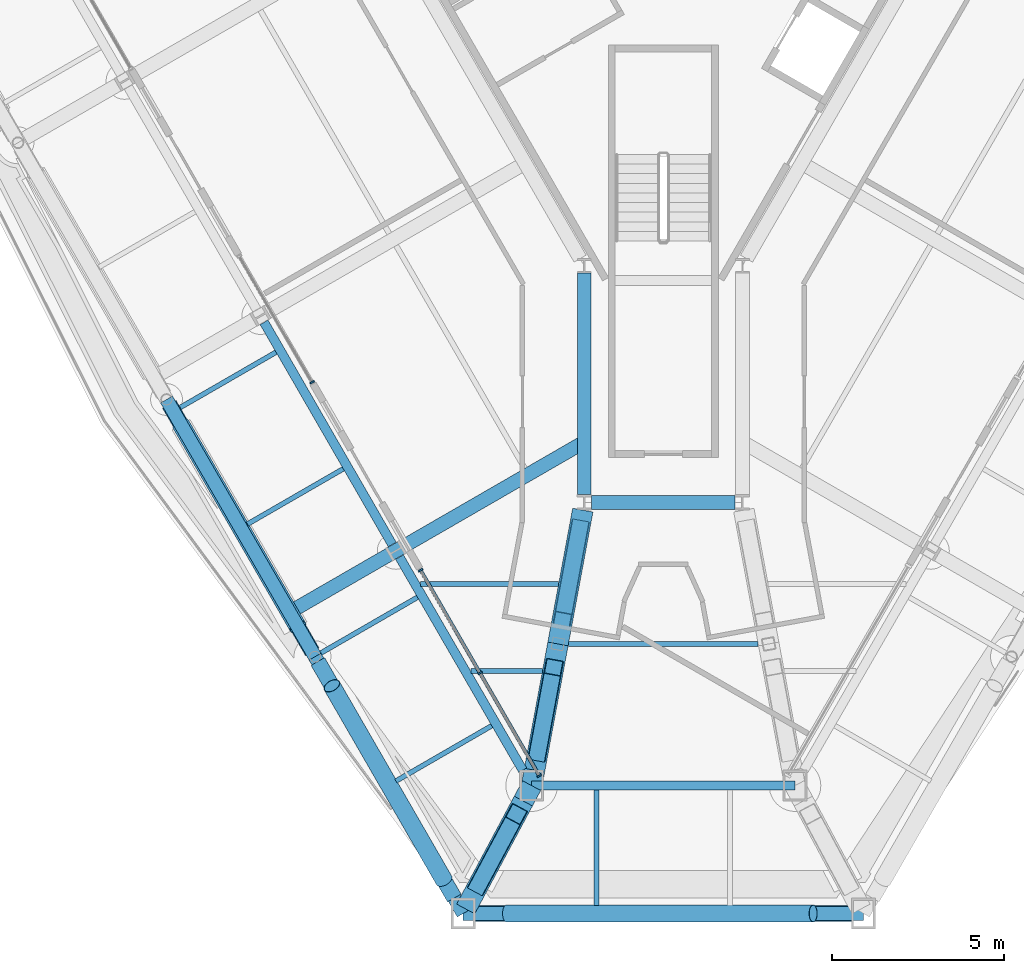
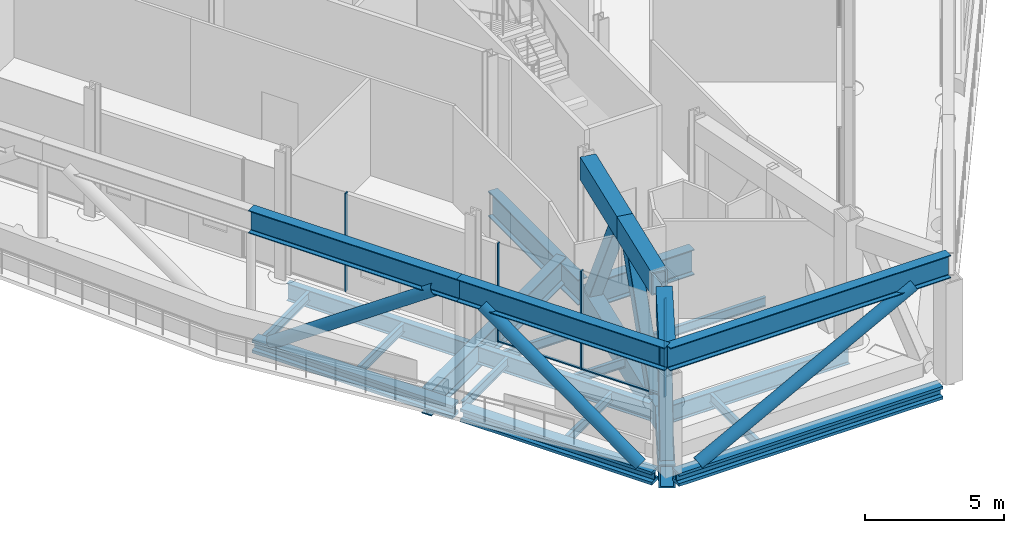
# One storey, part 5 of 26: 26 beams, 12 members, 2 elements without a shape of their own.
"""IFC4 building model written with IfcOpenShell, lengths in metres."""

from ifc_helpers import new_model, si_unit, direction, frame, origin, origin_2d, place, context, subcontext, project, spatial, rectangle, hollow_rectangle, hollow_circle, i_section, extrude, material, material_profile, profile_set, type_object, element, aggregate, save


model = new_model("IFC4")

# Units and contexts
model_context = context("Model", 3, precision=1e-05, world=origin(), true_north=direction((0.0, 1.0)))
body_context = subcontext(model_context, "Body", "Model", "MODEL_VIEW")
ifc_project = project(units=[si_unit("LENGTHUNIT", "METRE"), si_unit("AREAUNIT", "SQUARE_METRE"), si_unit("VOLUMEUNIT", "CUBIC_METRE"), si_unit("PLANEANGLEUNIT", "RADIAN"), si_unit("MASSUNIT", "GRAM", prefix="KILO")], contexts=[model_context])

# Site, building, storey
site_placement = place(None, origin())
site = spatial("IfcSite", under=ifc_project, at=site_placement, CompositionType="ELEMENT")
building_placement = place(site_placement, origin())
building = spatial("IfcBuilding", under=site, at=building_placement, Name="Verrane Prism Tower", CompositionType="ELEMENT")
storey_placement = place(building_placement, frame((0.0, 0.0, 87.199951171875)))
storey = spatial("IfcBuildingStorey", under=building, at=storey_placement, Name="L20", CompositionType="ELEMENT", Elevation=87.199951171875)

# Beams
ifc_material_1 = material(Name="Steel A992", Category="steel")
ifc_material_profile_1 = material_profile(ifc_material_1, i_section(OverallWidth=0.45458984375, OverallDepth=0.56884765625, WebThickness=0.077880859375, FlangeThickness=0.124755859375, FilletRadius=0.01513671875, at=origin_2d()), Name="W14x730")
ifc_profile_set_1 = profile_set([ifc_material_profile_1], Name="Steel A992")
beam_type_1 = type_object("IfcBeamType", Name="Belt truss chord W14x730", PredefinedType="BEAM", material=ifc_profile_set_1)
beam_1_placement = place(storey_placement, frame((-14.36865234375, -18.45068359375, -0.445556640625), z_axis=(0.500128352211, -0.865951286918, 0.0), x_axis=(0.865951286918, 0.500128352211, 0.0)))
element("IfcBeam", 1, at=beam_1_placement, inside=storey, type_object=beam_type_1, Name="Belt truss chord L20", PredefinedType="BEAM", context=body_context, shape_type="SweptSolid", body=[
    extrude(i_section(OverallWidth=0.45458984375, OverallDepth=0.56884765625, WebThickness=0.077880859375, FlangeThickness=0.124755859375, FilletRadius=0.01513671875, at=origin_2d()), origin(), (0.0, 0.0, 1.0), 8.312744140625),
])
beam_2_placement = place(storey_placement, frame((-10.048828125, -25.930908203125, -0.445556640625), z_axis=(0.499769466734, -0.866158461322, 0.0), x_axis=(0.866158461322, 0.499769466734, 0.0)))
element("IfcBeam", 2, at=beam_2_placement, inside=storey, type_object=beam_type_1, Name="Belt truss chord L20", PredefinedType="BEAM", context=body_context, shape_type="SweptSolid", body=[
    extrude(i_section(OverallWidth=0.45458984375, OverallDepth=0.56884765625, WebThickness=0.077880859375, FlangeThickness=0.124755859375, FilletRadius=0.01513671875, at=origin_2d()), origin(), (0.0, 0.0, 1.0), 7.942138671875),
])
beam_3_placement = place(storey_placement, frame((-5.469970703125, -33.260009765625, -0.445556640625), z_axis=(1.0, 0.0, 0.0), x_axis=(0.0, 1.0, 0.0)))
element("IfcBeam", 3, at=beam_3_placement, inside=storey, type_object=beam_type_1, Name="Belt truss chord L20", PredefinedType="BEAM", context=body_context, shape_type="SweptSolid", body=[
    extrude(i_section(OverallWidth=0.45458984375, OverallDepth=0.56884765625, WebThickness=0.077880859375, FlangeThickness=0.124755859375, FilletRadius=0.01513671875, at=origin_2d()), origin(), (0.0, 0.0, 1.0), 10.93994140625),
])
ifc_material_2 = material(Name="Steel A992", Category="steel")
ifc_material_profile_2 = material_profile(ifc_material_2, i_section(OverallWidth=0.4013671875, OverallDepth=1.000732421875, WebThickness=0.01904296875, FlangeThickness=0.0361328125, FilletRadius=0.030029296875, at=origin_2d()), Name="W40x249")
ifc_profile_set_2 = profile_set([ifc_material_profile_2], Name="Steel A992")
beam_type_2 = type_object("IfcBeamType", Name="Belt truss chord W40x249", PredefinedType="BEAM", material=ifc_profile_set_2)
beam_4_placement = place(storey_placement, frame((-14.449951171875, -18.31005859375, 4.939697265625), z_axis=(0.500130201725, -0.865950218732, 0.0), x_axis=(0.865950218732, 0.500130201725, 0.0)))
element("IfcBeam", 4, at=beam_4_placement, inside=storey, type_object=beam_type_2, Name="Belt truss chord L20", PredefinedType="BEAM", context=body_context, shape_type="SweptSolid", body=[
    extrude(i_section(OverallWidth=0.4013671875, OverallDepth=1.000732421875, WebThickness=0.01904296875, FlangeThickness=0.0361328125, FilletRadius=0.030029296875, at=origin_2d()), origin(), (0.0, 0.0, 1.0), 8.637939453125),
])
beam_5_placement = place(storey_placement, frame((-10.1298828125, -25.7900390625, 4.939697265625), z_axis=(0.499741242346, -0.866174746052, 0.0), x_axis=(0.866174746052, 0.499741242346, 0.0)))
element("IfcBeam", 5, at=beam_5_placement, inside=storey, type_object=beam_type_2, Name="Belt truss chord L20", PredefinedType="BEAM", context=body_context, shape_type="SweptSolid", body=[
    extrude(i_section(OverallWidth=0.4013671875, OverallDepth=1.000732421875, WebThickness=0.01904296875, FlangeThickness=0.0361328125, FilletRadius=0.030029296875, at=origin_2d()), origin(), (0.0, 0.0, 1.0), 8.6240234375),
])
beam_6_placement = place(storey_placement, frame((-5.820068359375, -33.260009765625, 4.939697265625), z_axis=(1.0, 0.0, 0.0), x_axis=(0.0, 1.0, 0.0)))
element("IfcBeam", 6, at=beam_6_placement, inside=storey, type_object=beam_type_2, Name="Belt truss chord L20", PredefinedType="BEAM", context=body_context, shape_type="SweptSolid", body=[
    extrude(i_section(OverallWidth=0.4013671875, OverallDepth=1.000732421875, WebThickness=0.01904296875, FlangeThickness=0.0361328125, FilletRadius=0.030029296875, at=origin_2d()), origin(), (0.0, 0.0, 1.0), 11.64013671875),
])

# Members
ifc_material_3 = material(Name="Steel A500 Grade C", Category="steel")
ifc_material_profile_3 = material_profile(ifc_material_3, hollow_circle(Radius=0.25390625, WallThickness=0.0126953125, at=origin_2d()), Name="HSS20.000x0.500")
ifc_profile_set_3 = profile_set([ifc_material_profile_3], Name="Steel A500 Grade C")
member_type_1 = type_object("IfcMemberType", Name="Belt truss diagonal HSS20.000x0.500", PredefinedType="BRACE", material=ifc_profile_set_3)
member_1_placement = place(storey_placement, frame((-4.5576171875, -33.260009765625, -0.160888671875), z_axis=(0.884177532437, 0.0, 0.467151036747), x_axis=(0.0, 1.0, 0.0)))
element("IfcMember", 7, at=member_1_placement, inside=storey, type_object=member_type_1, Name="Belt truss diagonal L20", PredefinedType="BRACE", context=body_context, shape_type="SweptSolid", body=[
    extrude(hollow_circle(Radius=0.25390625, WallThickness=0.0126953125, at=origin_2d()), origin(), (0.0, 0.0, 1.0), 10.082275390625),
])
member_2_placement = place(storey_placement, frame((-14.026611328125, -19.043212890625, -0.160888671875), z_axis=(0.410981497335, -0.711574303838, 0.569873862329), x_axis=(0.865944304384, 0.500140441981, 0.0)))
element("IfcMember", 8, at=member_2_placement, inside=storey, type_object=member_type_1, Name="Belt truss diagonal L20", PredefinedType="BRACE", context=body_context, shape_type="SweptSolid", body=[
    extrude(hollow_circle(Radius=0.25390625, WallThickness=0.0126953125, at=origin_2d()), origin(), (0.0, 0.0, 1.0), 8.264892578125),
])
member_3_placement = place(storey_placement, frame((-6.37890625, -32.29150390625, -0.160888671875), z_axis=(-0.405277647184, 0.70243475166, 0.585094392687), x_axis=(-0.866171265767, -0.499747274489, 0.0)))
element("IfcMember", 9, at=member_3_placement, inside=storey, type_object=member_type_1, Name="Belt truss diagonal L20", PredefinedType="BRACE", context=body_context, shape_type="SweptSolid", body=[
    extrude(hollow_circle(Radius=0.25390625, WallThickness=0.0126953125, at=origin_2d()), origin(), (0.0, 0.0, 1.0), 8.0498046875),
])

# Beams
ifc_material_4 = material(Name="Steel A992", Category="steel")
ifc_material_profile_4 = material_profile(ifc_material_4, i_section(OverallWidth=0.2666015625, OverallDepth=0.76708984375, WebThickness=0.014892578125, FlangeThickness=0.023681640625, FilletRadius=0.0166015625, at=origin_2d()), Name="W30x124")
ifc_profile_set_4 = profile_set([ifc_material_profile_4], Name="Steel A992")
beam_type_3 = type_object("IfcBeamType", Name="Chamfer spandrel beam W30x124", PredefinedType="SPANDREL", material=ifc_profile_set_4)
beam_7_placement = place(storey_placement, frame((-3.830078125, -29.5400390625, -0.54345703125), z_axis=(1.0, 0.0, 0.0), x_axis=(0.0, 1.0, 0.0)))
element("IfcBeam", 10, at=beam_7_placement, inside=storey, type_object=beam_type_3, Name="Chamfer spandrel beam L20", PredefinedType="SPANDREL", context=body_context, shape_type="SweptSolid", body=[
    extrude(i_section(OverallWidth=0.2666015625, OverallDepth=0.76708984375, WebThickness=0.014892578125, FlangeThickness=0.023681640625, FilletRadius=0.0166015625, at=origin_2d()), origin(), (0.0, 0.0, 1.0), 7.66015625),
])
ifc_material_5 = material(Name="Steel A992", Category="steel")
ifc_material_profile_5 = material_profile(ifc_material_5, i_section(OverallWidth=0.140380859375, OverallDepth=0.40380859375, WebThickness=0.007080078125, FlangeThickness=0.01123046875, FilletRadius=0.01025390625, at=origin_2d()), Name="W16x31")
ifc_profile_set_5 = profile_set([ifc_material_profile_5], Name="Steel A992")
beam_type_4 = type_object("IfcBeamType", Name="Floor beam W16x31", PredefinedType="BEAM", material=ifc_profile_set_5)
beam_8_placement = place(storey_placement, frame((-7.77978515625, -29.408203125, -0.36181640625), z_axis=(0.866055526205, 0.499947822806, 0.0), x_axis=(-0.499947822806, 0.866055526205, 0.0)))
element("IfcBeam", 11, at=beam_8_placement, inside=storey, type_object=beam_type_4, Name="Floor beam L20", PredefinedType="BEAM", context=body_context, shape_type="SweptSolid", body=[
    extrude(i_section(OverallWidth=0.140380859375, OverallDepth=0.40380859375, WebThickness=0.007080078125, FlangeThickness=0.01123046875, FilletRadius=0.01025390625, at=origin_2d()), origin(), (0.0, 0.0, 1.0), 3.219482421875),
])
beam_9_placement = place(storey_placement, frame((-9.959716796875, -25.683837890625, -0.36181640625), z_axis=(0.866028841934, 0.499994044904, 0.0), x_axis=(-0.499994044904, 0.866028841934, 0.0)))
element("IfcBeam", 12, at=beam_9_placement, inside=storey, type_object=beam_type_4, Name="Floor beam L20", PredefinedType="BEAM", context=body_context, shape_type="SweptSolid", body=[
    extrude(i_section(OverallWidth=0.140380859375, OverallDepth=0.40380859375, WebThickness=0.007080078125, FlangeThickness=0.01123046875, FilletRadius=0.01025390625, at=origin_2d()), origin(), (0.0, 0.0, 1.0), 3.2421875),
])
beam_10_placement = place(storey_placement, frame((-12.0947265625, -21.933349609375, -0.36181640625), z_axis=(0.866019963708, 0.500009422371, 0.0), x_axis=(-0.500009422371, 0.866019963708, 0.0)))
element("IfcBeam", 13, at=beam_10_placement, inside=storey, type_object=beam_type_4, Name="Floor beam L20", PredefinedType="BEAM", context=body_context, shape_type="SweptSolid", body=[
    extrude(i_section(OverallWidth=0.140380859375, OverallDepth=0.40380859375, WebThickness=0.007080078125, FlangeThickness=0.01123046875, FilletRadius=0.01025390625, at=origin_2d()), origin(), (0.0, 0.0, 1.0), 3.2158203125),
])
beam_11_placement = place(storey_placement, frame((-14.052978515625, -18.54248046875, -0.36181640625), z_axis=(0.866021328928, 0.500007057792, 0.0), x_axis=(-0.500007057792, 0.866021328928, 0.0)))
element("IfcBeam", 14, at=beam_11_placement, inside=storey, type_object=beam_type_4, Name="Floor beam L20", PredefinedType="BEAM", context=body_context, shape_type="SweptSolid", body=[
    extrude(i_section(OverallWidth=0.140380859375, OverallDepth=0.40380859375, WebThickness=0.007080078125, FlangeThickness=0.01123046875, FilletRadius=0.01025390625, at=origin_2d()), origin(), (0.0, 0.0, 1.0), 3.2177734375),
])
beam_12_placement = place(storey_placement, frame((-5.6015625, -26.2099609375, -0.36181640625), z_axis=(1.0, 0.0, 0.0), x_axis=(0.0, 1.0, 0.0)))
element("IfcBeam", 15, at=beam_12_placement, inside=storey, type_object=beam_type_4, Name="Floor beam L20", PredefinedType="BEAM", context=body_context, shape_type="SweptSolid", body=[
    extrude(i_section(OverallWidth=0.140380859375, OverallDepth=0.40380859375, WebThickness=0.007080078125, FlangeThickness=0.01123046875, FilletRadius=0.01025390625, at=origin_2d()), origin(), (0.0, 0.0, 1.0), 2.084716796875),
])
beam_13_placement = place(storey_placement, frame((-7.064697265625, -23.679931640625, -0.36181640625), z_axis=(1.0, 0.0, 0.0), x_axis=(0.0, 1.0, 0.0)))
element("IfcBeam", 16, at=beam_13_placement, inside=storey, type_object=beam_type_4, Name="Floor beam L20", PredefinedType="BEAM", context=body_context, shape_type="SweptSolid", body=[
    extrude(i_section(OverallWidth=0.140380859375, OverallDepth=0.40380859375, WebThickness=0.007080078125, FlangeThickness=0.01123046875, FilletRadius=0.01025390625, at=origin_2d()), origin(), (0.0, 0.0, 1.0), 4.017578125),
])
beam_14_placement = place(storey_placement, frame((-1.93994140625, -33.032470703125, -0.36181640625), z_axis=(0.0, 1.0, 0.0), x_axis=(-1.0, 0.0, 0.0)))
element("IfcBeam", 17, at=beam_14_placement, inside=storey, type_object=beam_type_4, Name="Floor beam L20", PredefinedType="BEAM", context=body_context, shape_type="SweptSolid", body=[
    extrude(i_section(OverallWidth=0.140380859375, OverallDepth=0.40380859375, WebThickness=0.007080078125, FlangeThickness=0.01123046875, FilletRadius=0.01025390625, at=origin_2d()), origin(), (0.0, 0.0, 1.0), 3.35888671875),
])
beam_15_placement = place(storey_placement, frame((-2.760009765625, -25.419921875, -0.36181640625), z_axis=(1.0, 0.0, 0.0), x_axis=(0.0, 1.0, 0.0)))
element("IfcBeam", 18, at=beam_15_placement, inside=storey, type_object=beam_type_4, Name="Floor beam L20", PredefinedType="BEAM", context=body_context, shape_type="SweptSolid", body=[
    extrude(i_section(OverallWidth=0.140380859375, OverallDepth=0.40380859375, WebThickness=0.007080078125, FlangeThickness=0.01123046875, FilletRadius=0.01025390625, at=origin_2d()), origin(), (0.0, 0.0, 1.0), 5.52001953125),
])

# Curtain wall, member
ifc_material_6 = material(Name="Aluminium framed insulated glazing", Category="aluminium")
curtain_wall_type = type_object("IfcCurtainWallType", Name="Curtain wall CW-C 4200 module", PredefinedType="NOTDEFINED", material=ifc_material_6)
curtain_wall_1_placement = place(storey_placement, origin())
curtain_wall_1 = element("IfcCurtainWall", 19, at=curtain_wall_1_placement, inside=storey, type_object=curtain_wall_type, Name="Refuge lounge glazing south-west face L20 3", PredefinedType="NOTDEFINED")
ifc_material_7 = material(Name="Aluminium alloy 6063-T6", Category="aluminium")
ifc_material_profile_6 = material_profile(ifc_material_7, rectangle(XDim=0.139892578125, YDim=0.050048828125, at=origin_2d()), Name="Mullion 50x140 aluminium")
ifc_profile_set_6 = profile_set([ifc_material_profile_6], Name="Aluminium alloy 6063-T6")
member_type_2 = type_object("IfcMemberType", Name="Mullion 50x140 aluminium", PredefinedType="MULLION", material=ifc_profile_set_6)
member_4_placement = place(storey_placement, frame((-10.21533203125, -17.80859375, 0.0), z_axis=(0.0, 0.0, 1.0), x_axis=(0.866027737909, 0.499995957157, 0.0)))
member_4 = element("IfcMember", 20, at=member_4_placement, type_object=member_type_2, Name="CW20.4.3 mullion 2", PredefinedType="MULLION", context=body_context, shape_type="SweptSolid", body=[
    extrude(rectangle(XDim=0.139892578125, YDim=0.050048828125, at=origin_2d()), origin(), (0.0, 0.0, 1.0), 4.322509765625),
])
aggregate(curtain_wall_1, [member_4])

# Curtain wall, members
curtain_wall_2_placement = place(storey_placement, origin())
curtain_wall_2 = element("IfcCurtainWall", 21, at=curtain_wall_2_placement, inside=storey, type_object=curtain_wall_type, Name="Refuge lounge glazing south-west face L20 4", PredefinedType="NOTDEFINED")
member_5_placement = place(storey_placement, frame((-7.060302734375, -23.273193359375, 0.0), z_axis=(0.0, 0.0, 1.0), x_axis=(0.866025163548, 0.500000416101, 0.0)))
member_5 = element("IfcMember", 22, at=member_5_placement, type_object=member_type_2, Name="CW20.4.4 mullion 1", PredefinedType="MULLION", context=body_context, shape_type="SweptSolid", body=[
    extrude(rectangle(XDim=0.139892578125, YDim=0.050048828125, at=origin_2d()), origin(), (0.0, 0.0, 1.0), 4.322509765625),
])
member_6_placement = place(storey_placement, frame((-5.333984375, -26.26318359375, 0.0), z_axis=(0.0, 0.0, 1.0), x_axis=(0.866025163548, 0.500000416101, 0.0)))
member_6 = element("IfcMember", 23, at=member_6_placement, type_object=member_type_2, Name="CW20.4.4 mullion 2", PredefinedType="MULLION", context=body_context, shape_type="SweptSolid", body=[
    extrude(rectangle(XDim=0.139892578125, YDim=0.050048828125, at=origin_2d()), origin(), (0.0, 0.0, 1.0), 4.322509765625),
])
member_7_placement = place(storey_placement, frame((-3.60791015625, -29.253173828125, 0.0), z_axis=(0.0, 0.0, 1.0), x_axis=(0.866025163548, 0.500000416101, 0.0)))
member_7 = element("IfcMember", 24, at=member_7_placement, type_object=member_type_2, Name="CW20.4.4 mullion 3", PredefinedType="MULLION", context=body_context, shape_type="SweptSolid", body=[
    extrude(rectangle(XDim=0.139892578125, YDim=0.050048828125, at=origin_2d()), origin(), (0.0, 0.0, 1.0), 4.322509765625),
])

# Beams
ifc_material_8 = material(Name="Steel A572 Grade 50", Category="steel")
ifc_material_profile_7 = material_profile(ifc_material_8, hollow_rectangle(XDim=0.60009765625, YDim=1.0, WallThickness=0.06005859375, at=origin_2d()), Name="BOX 1000x600x60")
ifc_profile_set_7 = profile_set([ifc_material_profile_7], Name="Steel A572 Grade 50")
beam_type_5 = type_object("IfcBeamType", Name="Outrigger truss chord BOX 1000x600x60", PredefinedType="BEAM", material=ifc_profile_set_7)
beam_16_placement = place(storey_placement, frame((-5.579345703125, -32.81005859375, -0.659912109375), z_axis=(0.471691533573, 0.881763628846, 0.0), x_axis=(-0.881763628846, 0.471691533573, 0.0)))
element("IfcBeam", 25, at=beam_16_placement, inside=storey, type_object=beam_type_5, Name="Outrigger truss chord L20", PredefinedType="BEAM", context=body_context, shape_type="SweptSolid", body=[
    extrude(hollow_rectangle(XDim=0.60009765625, YDim=1.0, WallThickness=0.06005859375, at=origin_2d()), origin(), (0.0, 0.0, 1.0), 3.70849609375),
])
beam_17_placement = place(storey_placement, frame((-3.830078125, -29.5400390625, -0.659912109375), z_axis=(0.182585757578, 0.983189931361, 0.0), x_axis=(-0.983189931361, 0.182585757578, 0.0)))
element("IfcBeam", 26, at=beam_17_placement, inside=storey, type_object=beam_type_5, Name="Outrigger truss chord L20", PredefinedType="BEAM", context=body_context, shape_type="SweptSolid", body=[
    extrude(hollow_rectangle(XDim=0.60009765625, YDim=1.0, WallThickness=0.06005859375, at=origin_2d()), origin(), (0.0, 0.0, 1.0), 4.190673828125),
])
beam_18_placement = place(storey_placement, frame((-3.06494140625, -25.419921875, -0.659912109375), z_axis=(0.182530880443, 0.983200120873, 0.0), x_axis=(-0.983200120873, 0.182530880443, 0.0)))
element("IfcBeam", 27, at=beam_18_placement, inside=storey, type_object=beam_type_5, Name="Outrigger truss chord L20", PredefinedType="BEAM", context=body_context, shape_type="SweptSolid", body=[
    extrude(hollow_rectangle(XDim=0.60009765625, YDim=1.0, WallThickness=0.06005859375, at=origin_2d()), origin(), (0.0, 0.0, 1.0), 3.958984375),
])
beam_19_placement = place(storey_placement, frame((-5.749267578125, -33.127685546875, 4.93994140625), z_axis=(0.471688227938, 0.881765397158, 0.0), x_axis=(-0.881765397158, 0.471688227938, 0.0)))
element("IfcBeam", 28, at=beam_19_placement, inside=storey, type_object=beam_type_5, Name="Outrigger truss chord L20", PredefinedType="BEAM", context=body_context, shape_type="SweptSolid", body=[
    extrude(hollow_rectangle(XDim=0.60009765625, YDim=1.0, WallThickness=0.06005859375, at=origin_2d()), origin(), (0.0, 0.0, 1.0), 3.558349609375),
])
beam_20_placement = place(storey_placement, frame((-3.746337890625, -29.090087890625, 4.93994140625), z_axis=(0.182538906317, 0.983198630837, 0.0), x_axis=(-0.983198630837, 0.182538906317, 0.0)))
element("IfcBeam", 29, at=beam_20_placement, inside=storey, type_object=beam_type_5, Name="Outrigger truss chord L20", PredefinedType="BEAM", context=body_context, shape_type="SweptSolid", body=[
    extrude(hollow_rectangle(XDim=0.60009765625, YDim=1.0, WallThickness=0.06005859375, at=origin_2d()), origin(), (0.0, 0.0, 1.0), 3.73291015625),
])
beam_21_placement = place(storey_placement, frame((-3.06494140625, -25.419921875, 4.93994140625), z_axis=(0.182530880443, 0.983200120873, 0.0), x_axis=(-0.983200120873, 0.182530880443, 0.0)))
element("IfcBeam", 30, at=beam_21_placement, inside=storey, type_object=beam_type_5, Name="Outrigger truss chord L20", PredefinedType="BEAM", context=body_context, shape_type="SweptSolid", body=[
    extrude(hollow_rectangle(XDim=0.60009765625, YDim=1.0, WallThickness=0.06005859375, at=origin_2d()), origin(), (0.0, 0.0, 1.0), 3.958984375),
])

# Members
ifc_material_9 = material(Name="Steel A500 Grade C", Category="steel")
ifc_material_profile_8 = material_profile(ifc_material_9, hollow_rectangle(XDim=0.508056640625, YDim=0.508056640625, WallThickness=0.01904296875, InnerFilletRadius=0.009521484375, OuterFilletRadius=0.028564453125, at=origin_2d()), Name="HSS20x20x3/4")
ifc_profile_set_8 = profile_set([ifc_material_profile_8], Name="Steel A500 Grade C")
member_type_3 = type_object("IfcMemberType", Name="Outrigger truss diagonal HSS20x20x3/4", PredefinedType="BRACE", material=ifc_profile_set_8)
member_8_placement = place(storey_placement, frame((-5.375732421875, -32.4296875, -0.219970703125), z_axis=(0.209177761826, 0.391049295434, 0.896284057929), x_axis=(-0.881773519747, 0.471673043402, 0.0)))
element("IfcMember", 31, at=member_8_placement, inside=storey, type_object=member_type_3, Name="Outrigger truss diagonal L20", PredefinedType="BRACE", context=body_context, shape_type="SweptSolid", body=[
    extrude(hollow_rectangle(XDim=0.508056640625, YDim=0.508056640625, WallThickness=0.01904296875, InnerFilletRadius=0.009521484375, OuterFilletRadius=0.028564453125, at=origin_2d()), origin(), (0.0, 0.0, 1.0), 5.26611328125),
])
member_9_placement = place(storey_placement, frame((-3.654541015625, -28.59521484375, -0.219970703125), z_axis=(0.086536460532, 0.466021612715, 0.880531258662), x_axis=(-0.983192678778, 0.182570962635, 0.0)))
element("IfcMember", 32, at=member_9_placement, inside=storey, type_object=member_type_3, Name="Outrigger truss diagonal L20", PredefinedType="BRACE", context=body_context, shape_type="SweptSolid", body=[
    extrude(hollow_rectangle(XDim=0.508056640625, YDim=0.508056640625, WallThickness=0.01904296875, InnerFilletRadius=0.009521484375, OuterFilletRadius=0.028564453125, at=origin_2d()), origin(), (0.0, 0.0, 1.0), 5.3603515625),
])
member_10_placement = place(storey_placement, frame((-2.43798828125, -22.04296875, -0.219970703125), z_axis=(-0.091353828883, -0.492056799885, 0.865756653821), x_axis=(0.983198831668, -0.182537824591, 0.0)))
element("IfcMember", 33, at=member_10_placement, inside=storey, type_object=member_type_3, Name="Outrigger truss diagonal L20", PredefinedType="BRACE", context=body_context, shape_type="SweptSolid", body=[
    extrude(hollow_rectangle(XDim=0.508056640625, YDim=0.508056640625, WallThickness=0.01904296875, InnerFilletRadius=0.009521484375, OuterFilletRadius=0.028564453125, at=origin_2d()), origin(), (0.0, 0.0, 1.0), 5.451904296875),
])

# Beams
ifc_material_10 = material(Name="Steel A992", Category="steel")
ifc_material_profile_9 = material_profile(ifc_material_10, i_section(OverallWidth=0.2666015625, OverallDepth=0.7568359375, WebThickness=0.013916015625, FlangeThickness=0.019287109375, FilletRadius=0.0166015625, at=origin_2d()), Name="W30x108")
ifc_profile_set_9 = profile_set([ifc_material_profile_9], Name="Steel A992")
beam_type_6 = type_object("IfcBeamType", Name="Spandrel beam W30x108", PredefinedType="SPANDREL", material=ifc_profile_set_9)
beam_22_placement = place(storey_placement, frame((-11.614013671875, -16.063720703125, -0.538330078125), z_axis=(0.499679960224, -0.866210100005, 0.0), x_axis=(0.866210100005, 0.499679960224, 0.0)))
element("IfcBeam", 34, at=beam_22_placement, inside=storey, type_object=beam_type_6, Name="Spandrel beam L20", PredefinedType="SPANDREL", context=body_context, shape_type="SweptSolid", body=[
    extrude(i_section(OverallWidth=0.2666015625, OverallDepth=0.7568359375, WebThickness=0.013916015625, FlangeThickness=0.019287109375, FilletRadius=0.0166015625, at=origin_2d()), origin(), (0.0, 0.0, 1.0), 7.4609375),
])
beam_23_placement = place(storey_placement, frame((-7.673828125, -22.8935546875, -0.538330078125), z_axis=(0.50064633236, -0.865651921903, 0.0), x_axis=(0.865651921903, 0.50064633236, 0.0)))
element("IfcBeam", 35, at=beam_23_placement, inside=storey, type_object=beam_type_6, Name="Spandrel beam L20", PredefinedType="SPANDREL", context=body_context, shape_type="SweptSolid", body=[
    extrude(i_section(OverallWidth=0.2666015625, OverallDepth=0.7568359375, WebThickness=0.013916015625, FlangeThickness=0.019287109375, FilletRadius=0.0166015625, at=origin_2d()), origin(), (0.0, 0.0, 1.0), 7.158203125),
])
ifc_material_11 = material(Name="Steel A992", Category="steel")
ifc_material_profile_10 = material_profile(ifc_material_11, i_section(OverallWidth=0.40380859375, OverallDepth=1.11767578125, WebThickness=0.026123046875, FlangeThickness=0.044921875, FilletRadius=0.02001953125, at=origin_2d()), Name="W44x335")
ifc_profile_set_10 = profile_set([ifc_material_profile_10], Name="Steel A992")
beam_type_7 = type_object("IfcBeamType", Name="Transfer girder W44x335", PredefinedType="BEAM", material=ifc_profile_set_10)
beam_24_placement = place(storey_placement, frame((-2.300048828125, -14.62841796875, -0.808837890625), z_axis=(0.0, -1.0, 0.0), x_axis=(1.0, 0.0, 0.0)))
element("IfcBeam", 36, at=beam_24_placement, inside=storey, type_object=beam_type_7, Name="Transfer girder L20", PredefinedType="BEAM", context=body_context, shape_type="SweptSolid", body=[
    extrude(i_section(OverallWidth=0.40380859375, OverallDepth=1.11767578125, WebThickness=0.026123046875, FlangeThickness=0.044921875, FilletRadius=0.02001953125, at=origin_2d()), origin(), (0.0, 0.0, 1.0), 6.4443359375),
])
beam_25_placement = place(storey_placement, frame((-2.09033203125, -21.300048828125, -0.808837890625), z_axis=(1.0, 0.0, 0.0), x_axis=(0.0, 1.0, 0.0)))
element("IfcBeam", 37, at=beam_25_placement, inside=storey, type_object=beam_type_7, Name="Transfer girder L20", PredefinedType="BEAM", context=body_context, shape_type="SweptSolid", body=[
    extrude(i_section(OverallWidth=0.40380859375, OverallDepth=1.11767578125, WebThickness=0.026123046875, FlangeThickness=0.044921875, FilletRadius=0.02001953125, at=origin_2d()), origin(), (0.0, 0.0, 1.0), 4.1806640625),
])
beam_26_placement = place(storey_placement, frame((-10.68115234375, -24.385009765625, -0.71875), z_axis=(0.866023845964, 0.500002698215, 0.0), x_axis=(-0.500002698215, 0.866023845964, 0.0)))
element("IfcBeam", 38, at=beam_26_placement, inside=storey, type_object=beam_type_7, Name="Transfer girder L20", PredefinedType="BEAM", context=body_context, shape_type="SweptSolid", body=[
    extrude(i_section(OverallWidth=0.40380859375, OverallDepth=1.11767578125, WebThickness=0.026123046875, FlangeThickness=0.044921875, FilletRadius=0.02001953125, at=origin_2d()), origin(), (0.0, 0.0, 1.0), 9.677734375),
])

# Member
ifc_material_12 = material(Name="Aluminium alloy 6063-T6", Category="aluminium")
ifc_material_profile_11 = material_profile(ifc_material_12, rectangle(XDim=0.10009765625, YDim=0.050048828125, at=origin_2d()), Name="Transom 50x100 aluminium")
ifc_profile_set_11 = profile_set([ifc_material_profile_11], Name="Aluminium alloy 6063-T6")
member_type_4 = type_object("IfcMemberType", Name="Transom 50x100 aluminium", PredefinedType="USERDEFINED", material=ifc_profile_set_11)
member_11_placement = place(storey_placement, frame((-7.0478515625, -23.294921875, 0.025146484375), z_axis=(0.500051640322, -0.865995587178, 0.0), x_axis=(0.865995587178, 0.500051640322, 0.0)))
member_11 = element("IfcMember", 39, at=member_11_placement, type_object=member_type_4, Name="CW20.4.4 transom 1", ObjectType="TRANSOM", PredefinedType="USERDEFINED", context=body_context, shape_type="SweptSolid", body=[
    extrude(rectangle(XDim=0.10009765625, YDim=0.050048828125, at=origin_2d()), origin(), (0.0, 0.0, 1.0), 3.402587890625),
])

member_12_placement = place(storey_placement, frame((-5.321533203125, -26.284912109375, 0.025146484375), z_axis=(0.499997825845, -0.86602665903, 0.0), x_axis=(0.86602665903, 0.499997825845, 0.0)))
member_12 = element("IfcMember", 40, at=member_12_placement, type_object=member_type_4, Name="CW20.4.4 transom 2", ObjectType="TRANSOM", PredefinedType="USERDEFINED", context=body_context, shape_type="SweptSolid", body=[
    extrude(rectangle(XDim=0.10009765625, YDim=0.050048828125, at=origin_2d()), origin(), (0.0, 0.0, 1.0), 3.40234375),
])

aggregate(curtain_wall_2, [member_5, member_6, member_7, member_11, member_12])

save(model, "model.ifc")
